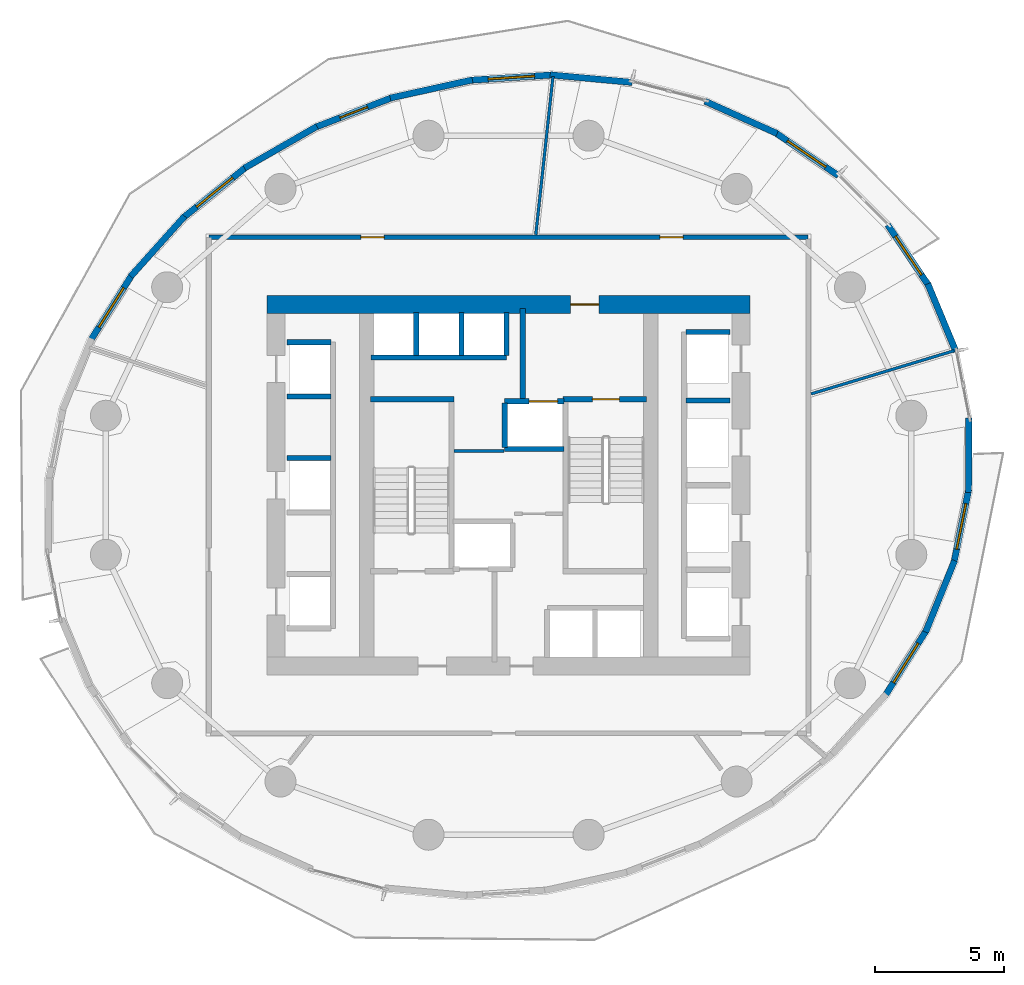
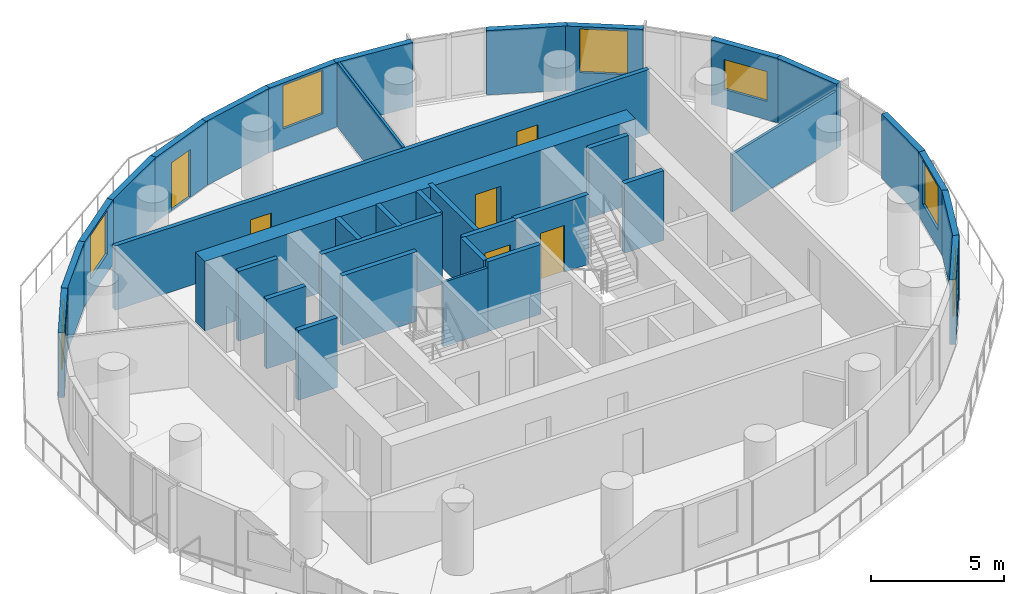
# One storey, part 5 of 10: 36 walls, 7 windows, 6 doors, 13 openings.
"""IFC4 building model written with IfcOpenShell, lengths in metres."""

import ifcopenshell
import ifcopenshell.guid

model = None  # the IFC model being written
_history = None  # IfcOwnerHistory: only IFC2X3 demands one
_inside = {}  # id of a spatial element -> (the spatial element, [elements in it])
_under = {}  # id of a project, library or spatial element -> (it, [spatial elements below it])
_declared = {}  # id of a project -> (the project, [libraries it declares])
_typed = {}  # id of a type object -> (the type object, [elements of that type])
_made_of = {}  # id of a material, layer set ... -> (it, [elements and type objects made of it])


def new_model(schema):
    """Start an empty IFC model of exactly this schema.

    Asked for "IFC4X3", IfcOpenShell would pick the latest addendum, in which some entities
    have other attributes; the version numbers below select the first issue.
    IFC2X3 requires an IfcOwnerHistory on every rooted entity: one is made here for all.
    """
    global model, _history
    if schema == "IFC4X3":
        model = ifcopenshell.file(schema_version=(4, 3, 0, 0))
    else:
        model = ifcopenshell.file(schema=schema)
    _inside.clear()
    _under.clear()
    _declared.clear()
    _typed.clear()
    _made_of.clear()
    _history = None
    if model.schema == "IFC2X3":
        org = make("IfcOrganization", Name="unknown")
        user = make(
            "IfcPersonAndOrganization",
            ThePerson=make("IfcPerson", FamilyName="unknown"),
            TheOrganization=org,
        )
        app = make(
            "IfcApplication",
            ApplicationDeveloper=org,
            Version="unknown",
            ApplicationFullName="unknown",
            ApplicationIdentifier="unknown",
        )
        _history = make(
            "IfcOwnerHistory",
            OwningUser=user,
            OwningApplication=app,
            ChangeAction="ADDED",
            CreationDate=0,
        )
    return model


def make(cls, **values):
    """One entity of the class cls with the attributes given. An attribute that is None is left unset."""
    return model.create_entity(
        cls, **{name: value for name, value in values.items() if value is not None}
    )


def rooted(cls, **values):
    """An entity with a GlobalId (a new one), such as an element, a storey or a relation."""
    return make(cls, GlobalId=ifcopenshell.guid.new(), OwnerHistory=_history, **values)


def si_unit(unit_type, name, prefix=None):
    """IfcSIUnit, for example si_unit("LENGTHUNIT", "METRE", prefix="MILLI")."""
    return make("IfcSIUnit", UnitType=unit_type, Prefix=prefix, Name=name)


def assignment(units):
    """IfcUnitAssignment: the units of a project."""
    return None if units is None else make("IfcUnitAssignment", Units=units)


def point(xyz):
    """IfcCartesianPoint."""
    return None if xyz is None else make("IfcCartesianPoint", Coordinates=xyz)


def direction(xyz):
    """IfcDirection."""
    return None if xyz is None else make("IfcDirection", DirectionRatios=xyz)


def frame(location, z_axis=None, x_axis=None):
    """IfcAxis2Placement3D, a coordinate frame: its origin and axes. An axis left out is left unset."""
    return make(
        "IfcAxis2Placement3D",
        Location=point(location),
        Axis=direction(z_axis),
        RefDirection=direction(x_axis),
    )


def frame_2d(location, x_axis=None):
    """IfcAxis2Placement2D, a coordinate frame in the plane: its origin and x axis."""
    return make(
        "IfcAxis2Placement2D", Location=point(location), RefDirection=direction(x_axis)
    )


def origin():
    """The frame at (0, 0, 0) with its axes left unset."""
    return frame((0.0, 0.0, 0.0))


def place(relative_to, where):
    """IfcLocalPlacement: puts the frame where relative to a parent placement (None: the world)."""
    return make(
        "IfcLocalPlacement", PlacementRelTo=relative_to, RelativePlacement=where
    )


def context(
    kind, dimensions, precision=None, world=None, true_north=None, identifier=None
):
    """IfcGeometricRepresentationContext, for example the 3D "Model" context."""
    return make(
        "IfcGeometricRepresentationContext",
        ContextIdentifier=identifier,
        ContextType=kind,
        CoordinateSpaceDimension=dimensions,
        Precision=precision,
        WorldCoordinateSystem=world,
        TrueNorth=true_north,
    )


def subcontext(parent, identifier, kind, view, scale=None):
    """IfcGeometricRepresentationSubContext, for example "Body" below "Model"."""
    return make(
        "IfcGeometricRepresentationSubContext",
        ContextIdentifier=identifier,
        ContextType=kind,
        ParentContext=parent,
        TargetScale=scale,
        TargetView=view,
    )


def project(units=None, contexts=None):
    """IfcProject with its units and contexts."""
    return rooted(
        "IfcProject",
        Name="project",
        RepresentationContexts=contexts,
        UnitsInContext=assignment(units),
    )


def spatial(cls, under=None, at=None, **own):
    """A site, building, storey or space (cls), placed at a placement, below another one or the project."""
    s = rooted(cls, ObjectPlacement=at, **own)
    if under is not None:
        _under.setdefault(under.id(), (under, []))[1].append(s)
    return s


def profile(cls, at=None, kind="AREA", **sizes):
    """A parametric profile (cls). Its sizes go by their IFC names, for example OverallWidth=200.0."""
    return make(cls, ProfileType=kind, Position=at, **sizes)


def rectangle(**sizes):
    """IfcRectangleProfileDef."""
    return profile("IfcRectangleProfileDef", **sizes)


def extrude(swept, where, along, depth):
    """IfcExtrudedAreaSolid: the profile swept, set in the frame where, extruded along a direction by depth."""
    return make(
        "IfcExtrudedAreaSolid",
        SweptArea=swept,
        Position=where,
        ExtrudedDirection=direction(along),
        Depth=depth,
    )


def shape(context_of_items, identifier, shape_type, items):
    """IfcShapeRepresentation: the items that make up one representation, for example the "Body"."""
    return make(
        "IfcShapeRepresentation",
        ContextOfItems=context_of_items,
        RepresentationIdentifier=identifier,
        RepresentationType=shape_type,
        Items=items,
    )


def material(Name=None, Category=None):
    """IfcMaterial."""
    return make("IfcMaterial", Name=Name, Category=Category)


def layer(
    of_material, thickness, ventilated=None, Name=None, Category=None, Priority=None
):
    """IfcMaterialLayer: one layer of a wall or slab, of a material (None: an air gap)."""
    return make(
        "IfcMaterialLayer",
        Material=of_material,
        LayerThickness=thickness,
        IsVentilated=ventilated,
        Name=Name,
        Category=Category,
        Priority=Priority,
    )


def layer_set(layers, Name=None):
    """IfcMaterialLayerSet."""
    return make("IfcMaterialLayerSet", MaterialLayers=layers, LayerSetName=Name)


def made_of(thing, what):
    """Note that an element or type object is made of a material, layer set ...; save() writes the relation."""
    if what is not None:
        _made_of.setdefault(what.id(), (what, []))[1].append(thing)
    return thing


def type_object(cls, material=None, **own):
    """A type object (cls), such as IfcWallType, which elements share."""
    return made_of(rooted(cls, **own), material)


def element(
    cls,
    number,
    at=None,
    inside=None,
    cuts=None,
    type_object=None,
    material=None,
    context=None,
    identifier="Body",
    shape_type=None,
    held_by="IfcProductDefinitionShape",
    body=None,
    shapes=None,
    **own,
):
    """One element of the class cls, such as IfcWall. Its Tag is "e" and its number.

    at: its placement. inside: the storey or other place that contains it. cuts: it is an
    opening in that element (IfcRelVoidsElement). A single representation is given by context,
    identifier, shape_type and body (its items); several are given by shapes. held_by: the class
    of the entity that holds the representations. save() writes the other relations.
    """
    e = rooted(cls, Tag="e%d" % number, ObjectPlacement=at, **own)
    if body is not None:
        shapes = [shape(context, identifier, shape_type, body)]
    if shapes is not None:
        e.Representation = make(held_by, Representations=shapes)
    if inside is not None:
        _inside.setdefault(inside.id(), (inside, []))[1].append(e)
    if cuts is not None:
        rooted(
            "IfcRelVoidsElement", RelatingBuildingElement=cuts, RelatedOpeningElement=e
        )
    if type_object is not None:
        _typed.setdefault(type_object.id(), (type_object, []))[1].append(e)
    return made_of(e, material)


def fill(opening, filler):
    """IfcRelFillsElement: the door or window that sits in an opening."""
    return rooted(
        "IfcRelFillsElement",
        RelatingOpeningElement=opening,
        RelatedBuildingElement=filler,
    )


def aggregate(whole, parts):
    """IfcRelAggregates: a whole, such as a stair, and the parts it consists of."""
    return rooted("IfcRelAggregates", RelatingObject=whole, RelatedObjects=parts)


def save(model, path):
    """Write the relations noted so far, then the file.

    IfcRelAggregates (storeys below a building ...), IfcRelContainedInSpatialStructure (elements
    in a storey), IfcRelDefinesByType, IfcRelAssociatesMaterial and IfcRelDeclares: one each for
    every whole, place, type object, material and project.
    """
    for whole, parts in _under.values():
        aggregate(whole, parts)
    for where, things in _inside.values():
        rooted(
            "IfcRelContainedInSpatialStructure",
            RelatedElements=things,
            RelatingStructure=where,
        )
    for kind, things in _typed.values():
        rooted("IfcRelDefinesByType", RelatedObjects=things, RelatingType=kind)
    for what, things in _made_of.values():
        rooted("IfcRelAssociatesMaterial", RelatedObjects=things, RelatingMaterial=what)
    for by, libraries in _declared.values():
        rooted("IfcRelDeclares", RelatingContext=by, RelatedDefinitions=libraries)
    model.write(path)


model = new_model("IFC4")

# Units and contexts
model_context = context("Model", 3, precision=1e-05, world=origin(), true_north=direction((0.0, 1.0)))
body_context = subcontext(model_context, "Body", "Model", "MODEL_VIEW")
ifc_project = project(units=[si_unit("LENGTHUNIT", "METRE"), si_unit("AREAUNIT", "SQUARE_METRE"), si_unit("VOLUMEUNIT", "CUBIC_METRE"), si_unit("PLANEANGLEUNIT", "RADIAN"), si_unit("MASSUNIT", "GRAM", prefix="KILO")], contexts=[model_context])

# Site, building, storey
site_placement = place(None, origin())
site = spatial("IfcSite", under=ifc_project, at=site_placement, CompositionType="ELEMENT")
building_placement = place(site_placement, origin())
building = spatial("IfcBuilding", under=site, at=building_placement, Name="Veldorim Arch Residences", CompositionType="ELEMENT")
storey_placement = place(building_placement, frame((0.0, 0.0, 70.8798828125)))
storey = spatial("IfcBuildingStorey", under=building, at=storey_placement, Name="L20", CompositionType="ELEMENT", Elevation=70.8798828125)

# Wall, openings, doors
ifc_material_1 = material(Name="Lightweight Masonry Block & Gypsum", Category="masonry")
ifc_layer_1 = layer(ifc_material_1, 0.179931640625, Name="Compartment & Corridor Fire-Rated Party Wall 180")
ifc_layer_set_1 = layer_set([ifc_layer_1], Name="Lightweight Masonry Block & Gypsum")
wall_type_1 = type_object("IfcWallType", Name="Compartment & Corridor Fire-Rated Party Wall 180", PredefinedType="PARTITIONING", material=ifc_layer_set_1)
wall_1_placement = place(storey_placement, frame((20.39990234375, 33.60009765625, 0.0), z_axis=(0.0, 0.0, 1.0), x_axis=(1.0, 0.0, 0.0)))
wall_1 = element("IfcWall", 1, at=wall_1_placement, inside=storey, type_object=wall_type_1, Name="L20 interior wall WL-SKY-L20-001", PredefinedType="PARTITIONING", context=body_context, shape_type="SweptSolid", body=[
    extrude(rectangle(XDim=23.2001953125, YDim=0.179931640625, at=frame_2d((11.60009765625, 0.0))), origin(), (0.0, 0.0, 1.0), 2.955078125),
])
opening_1_placement = place(wall_1_placement, frame((17.46142578125, 0.0, 0.0)))
opening_1 = element("IfcOpeningElement", 2, at=opening_1_placement, cuts=wall_1, Name="Opening DR-INT", PredefinedType="OPENING", context=body_context, shape_type="SweptSolid", body=[
    extrude(rectangle(XDim=0.89990234375, YDim=2.10009765625, at=frame_2d((0.449951171875, 1.050048828125))), frame((0.0, 0.099853515625, 0.0), z_axis=(0.0, -1.0, 0.0), x_axis=(1.0, 0.0, 0.0)), (0.0, 0.0, 1.0), 0.199951171875),
])
opening_2_placement = place(wall_1_placement, frame((5.881591796875, 0.0, 0.0)))
opening_2 = element("IfcOpeningElement", 3, at=opening_2_placement, cuts=wall_1, Name="Opening DR-INT", PredefinedType="OPENING", context=body_context, shape_type="SweptSolid", body=[
    extrude(rectangle(XDim=0.89990234375, YDim=2.10009765625, at=frame_2d((0.449951171875, 1.050048828125))), frame((0.0, 0.099853515625, 0.0), z_axis=(0.0, -1.0, 0.0), x_axis=(1.0, 0.0, 0.0)), (0.0, 0.0, 1.0), 0.199951171875),
])
ifc_material_2 = material(Name="Engineered Timber", Category="wood")
door_type_1 = type_object("IfcDoorType", Name="Apartment Internal Room Timber Door 900x2100", OperationType="SINGLE_SWING_LEFT", PredefinedType="DOOR", material=ifc_material_2)
door_1_placement = place(opening_1_placement, origin())
door_1 = element("IfcDoor", 4, at=door_1_placement, inside=storey, type_object=door_type_1, Name="L20 interior door DR-SKY-L20-001", OperationType="SINGLE_SWING_LEFT", OverallHeight=2.10009765625, OverallWidth=0.89990234375, PredefinedType="DOOR", context=body_context, shape_type="SweptSolid", body=[
    extrude(rectangle(XDim=0.89990234375, YDim=2.10009765625, at=frame_2d((0.449951171875, 1.050048828125))), frame((0.0, 0.02490234375, 0.0), z_axis=(0.0, -1.0, 0.0), x_axis=(1.0, 0.0, 0.0)), (0.0, 0.0, 1.0), 0.050048828125),
])
fill(opening_1, door_1)
door_2_placement = place(opening_2_placement, origin())
door_2 = element("IfcDoor", 5, at=door_2_placement, inside=storey, type_object=door_type_1, Name="L20 interior door DR-SKY-L20-002", OperationType="SINGLE_SWING_RIGHT", OverallHeight=2.10009765625, OverallWidth=0.89990234375, PredefinedType="DOOR", context=body_context, shape_type="SweptSolid", body=[
    extrude(rectangle(XDim=0.89990234375, YDim=2.10009765625, at=frame_2d((0.449951171875, 1.050048828125))), frame((0.0, 0.02490234375, 0.0), z_axis=(0.0, -1.0, 0.0), x_axis=(1.0, 0.0, 0.0)), (0.0, 0.0, 1.0), 0.050048828125),
])
fill(opening_2, door_2)

# Wall
ifc_material_3 = material(Name="Concrete C50/60", Category="concrete")
ifc_layer_2 = layer(ifc_material_3, 0.199951171875, Name="Core Stair & Lift Shaft Enclosure Wall 200")
ifc_layer_set_2 = layer_set([ifc_layer_2], Name="Concrete C50/60")
wall_type_2 = type_object("IfcWallType", Name="Core Stair & Lift Shaft Enclosure Wall 200", PredefinedType="SHEAR", material=ifc_layer_set_2)
wall_2_placement = place(storey_placement, frame((26.64990234375, 27.330078125, 0.0), z_axis=(0.0, 0.0, 1.0), x_axis=(1.0, 0.0, 0.0)))
element("IfcWall", 6, at=wall_2_placement, inside=storey, type_object=wall_type_2, Name="L20 shaft wall WL-SHF-L20-ST1-N", PredefinedType="SHEAR", context=body_context, shape_type="SweptSolid", body=[
    extrude(rectangle(XDim=3.239990234375, YDim=0.199951171875, at=frame_2d((1.6201171875, 0.0))), origin(), (0.0, 0.0, 1.0), 3.2001953125),
])

# Wall, opening, door
wall_3_placement = place(storey_placement, frame((34.110107421875, 27.330078125, 0.0), z_axis=(0.0, 0.0, 1.0), x_axis=(1.0, 0.0, 0.0)))
wall_3 = element("IfcWall", 7, at=wall_3_placement, inside=storey, type_object=wall_type_2, Name="L20 shaft wall WL-SHF-L20-ST2-N", PredefinedType="SHEAR", context=body_context, shape_type="SweptSolid", body=[
    extrude(rectangle(XDim=3.239990234375, YDim=0.199951171875, at=frame_2d((1.6201171875, 0.0))), origin(), (0.0, 0.0, 1.0), 3.2001953125),
])
opening_3_placement = place(wall_3_placement, frame((1.135009765625, 0.0, 0.0)))
opening_3 = element("IfcOpeningElement", 8, at=opening_3_placement, cuts=wall_3, Name="Opening DR-ST", PredefinedType="OPENING", context=body_context, shape_type="SweptSolid", body=[
    extrude(rectangle(XDim=1.050048828125, YDim=2.14990234375, at=frame_2d((0.52490234375, 1.074951171875))), frame((0.0, 0.10986328125, 0.0), z_axis=(0.0, -1.0, 0.0), x_axis=(1.0, 0.0, 0.0)), (0.0, 0.0, 1.0), 0.219970703125),
])
ifc_material_4 = material(Name="Fire-Rated Steel", Category="steel")
door_type_2 = type_object("IfcDoorType", Name="Exit Staircase Self-Closing Fire Door 1050x2150", OperationType="SINGLE_SWING_LEFT", PredefinedType="DOOR", material=ifc_material_4)
door_3_placement = place(opening_3_placement, origin())
door_3 = element("IfcDoor", 9, at=door_3_placement, inside=storey, type_object=door_type_2, Name="L20 interior door DR-L20-ST2", OperationType="SINGLE_SWING_RIGHT", OverallHeight=2.14990234375, OverallWidth=1.050048828125, PredefinedType="DOOR", context=body_context, shape_type="SweptSolid", body=[
    extrude(rectangle(XDim=1.050048828125, YDim=2.14990234375, at=frame_2d((0.52490234375, 1.074951171875))), frame((0.0, 0.02490234375, 0.0), z_axis=(0.0, -1.0, 0.0), x_axis=(1.0, 0.0, 0.0)), (0.0, 0.0, 1.0), 0.050048828125),
])
fill(opening_3, door_3)

# Wall
wall_4_placement = place(storey_placement, frame((32.550048828125, 27.35009765625, 0.0), z_axis=(0.0, 0.0, 1.0), x_axis=(0.0, 1.0, 0.0)))
element("IfcWall", 10, at=wall_4_placement, inside=storey, type_object=wall_type_2, Name="L20 shaft wall WL-FFL2-L20-W", PredefinedType="SHEAR", context=body_context, shape_type="SweptSolid", body=[
    extrude(rectangle(XDim=3.5, YDim=0.199951171875, at=frame_2d((1.75, 0.0))), origin(), (0.0, 0.0, 1.0), 3.2001953125),
])

# Wall, opening, door
wall_5_placement = place(storey_placement, frame((31.85009765625, 27.25, 0.0), z_axis=(0.0, 0.0, 1.0), x_axis=(1.0, 0.0, 0.0)))
wall_5 = element("IfcWall", 11, at=wall_5_placement, inside=storey, type_object=wall_type_2, Name="L20 shaft wall WL-FL02-L20-N", PredefinedType="SHEAR", context=body_context, shape_type="SweptSolid", body=[
    extrude(rectangle(XDim=2.2998046875, YDim=0.199951171875, at=frame_2d((1.14990234375, 0.0))), origin(), (0.0, 0.0, 1.0), 3.2001953125),
])
opening_4_placement = place(wall_5_placement, frame((0.949951171875, 0.0, 0.0)))
opening_4 = element("IfcOpeningElement", 12, at=opening_4_placement, cuts=wall_5, Name="Opening LD-FF", PredefinedType="OPENING", context=body_context, shape_type="SweptSolid", body=[
    extrude(rectangle(XDim=1.10009765625, YDim=2.14990234375, at=frame_2d((0.550048828125, 1.074951171875))), frame((0.0, 0.10986328125, 0.0), z_axis=(0.0, -1.0, 0.0), x_axis=(1.0, 0.0, 0.0)), (0.0, 0.0, 1.0), 0.219970703125),
])
ifc_material_5 = material(Name="Stainless Steel", Category="steel")
door_type_3 = type_object("IfcDoorType", Name="Firefighting Lift Bi-Parting Sliding Landing Door 1100x2150", OperationType="DOUBLE_DOOR_SLIDING", PredefinedType="DOOR", material=ifc_material_5)
door_4_placement = place(opening_4_placement, origin())
door_4 = element("IfcDoor", 13, at=door_4_placement, inside=storey, type_object=door_type_3, Name="L20 lift landing door LD-L20-FL02", OperationType="DOUBLE_DOOR_SLIDING", OverallHeight=2.14990234375, OverallWidth=1.10009765625, PredefinedType="DOOR", context=body_context, shape_type="SweptSolid", body=[
    extrude(rectangle(XDim=1.10009765625, YDim=2.14990234375, at=frame_2d((0.550048828125, 1.074951171875))), frame((0.0, 0.02490234375, 0.0), z_axis=(0.0, -1.0, 0.0), x_axis=(1.0, 0.0, 0.0)), (0.0, 0.0, 1.0), 0.050048828125),
])
fill(opening_4, door_4)

# Walls
wall_6_placement = place(storey_placement, frame((31.85009765625, 25.39990234375, 0.0), z_axis=(0.0, 0.0, 1.0), x_axis=(1.0, 0.0, 0.0)))
element("IfcWall", 14, at=wall_6_placement, inside=storey, type_object=wall_type_2, Name="L20 shaft wall WL-FL02-L20-S", PredefinedType="SHEAR", context=body_context, shape_type="SweptSolid", body=[
    extrude(rectangle(XDim=2.2998046875, YDim=0.199951171875, at=frame_2d((1.14990234375, 0.0))), origin(), (0.0, 0.0, 1.0), 3.2001953125),
])
for number, where, z_axis, x_axis, name in (
    (15, (31.85009765625, 25.469970703125, 0.0), (0.0, 0.0, 1.0), (0.0, 1.0, 0.0), "L20 shaft wall WL-FL02-L20-W"),
    (16, (38.8701171875, 29.93994140625, 0.0), (0.0, 0.0, 1.0), (1.0, 0.0, 0.0), "L20 shaft wall WL-B1-L20-N"),
    (17, (38.8701171875, 27.27490234375, 0.0), (0.0, 0.0, 1.0), (1.0, 0.0, 0.0), "L20 shaft wall WL-B1-L20-D3"),
    (18, (23.419921875, 29.5400390625, 0.0), (0.0, 0.0, 1.0), (1.0, 0.0, 0.0), "L20 shaft wall WL-B2-L20-N"),
    (19, (23.419921875, 25.06005859375, 0.0), (0.0, 0.0, 1.0), (1.0, 0.0, 0.0), "L20 shaft wall WL-B2-L20-D2A"),
    (20, (23.419921875, 27.43994140625, 0.0), (0.0, 0.0, 1.0), (1.0, 0.0, 0.0), "L20 shaft wall WL-B2-L20-D2B"),
):
    element("IfcWall", number, at=place(storey_placement, frame(where, z_axis=z_axis, x_axis=x_axis)), inside=storey, type_object=wall_type_2, Name=name, PredefinedType="SHEAR", context=body_context, shape_type="SweptSolid", body=[
        extrude(rectangle(XDim=1.7099609375, YDim=0.199951171875, at=frame_2d((0.85498046875, 0.0))), origin(), (0.0, 0.0, 1.0), 3.2001953125),
    ])
wall_7_placement = place(storey_placement, frame((26.679931640625, 28.949951171875, 0.0), z_axis=(0.0, 0.0, 1.0), x_axis=(1.0, 0.0, 0.0)))
element("IfcWall", 21, at=wall_7_placement, inside=storey, type_object=wall_type_2, Name="L20 shaft wall WL-B3-L20-S", PredefinedType="SHEAR", context=body_context, shape_type="SweptSolid", body=[
    extrude(rectangle(XDim=5.239990234375, YDim=0.199951171875, at=frame_2d((2.6201171875, 0.0))), origin(), (0.0, 0.0, 1.0), 3.2001953125),
])
for number, where, z_axis, x_axis, name in (
    (22, (31.919921875, 29.02001953125, 0.0), (0.0, 0.0, 1.0), (0.0, 1.0, 0.0), "L20 shaft wall WL-B3-L20-E"),
    (23, (28.425048828125, 29.02001953125, 0.0), (0.0, 0.0, 1.0), (0.0, 1.0, 0.0), "L20 shaft wall WL-B3-L20-D1"),
    (24, (30.175048828125, 29.02001953125, 0.0), (0.0, 0.0, 1.0), (0.0, 1.0, 0.0), "L20 shaft wall WL-B3-L20-D2"),
):
    element("IfcWall", number, at=place(storey_placement, frame(where, z_axis=z_axis, x_axis=x_axis)), inside=storey, type_object=wall_type_2, Name=name, PredefinedType="SHEAR", context=body_context, shape_type="SweptSolid", body=[
        extrude(rectangle(XDim=1.659912109375, YDim=0.199951171875, at=frame_2d((0.830078125, 0.0))), origin(), (0.0, 0.0, 1.0), 3.2001953125),
    ])

# Wall, opening, door
ifc_material_6 = material(Name="Concrete C60/75", Category="concrete")
ifc_layer_3 = layer(ifc_material_6, 0.699951171875, Name="Mid-Lower Central Core Shear Wall 700")
ifc_layer_set_3 = layer_set([ifc_layer_3], Name="Concrete C60/75")
wall_type_3 = type_object("IfcWallType", Name="Mid-Lower Central Core Shear Wall 700", PredefinedType="SHEAR", material=ifc_layer_set_3)
wall_8_placement = place(storey_placement, frame((22.64990234375, 31.0, 0.0), z_axis=(0.0, 0.0, 1.0), x_axis=(1.0, 0.0, 0.0)))
wall_8 = element("IfcWall", 25, at=wall_8_placement, inside=storey, type_object=wall_type_3, Name="L20 central core north shear wall", PredefinedType="SHEAR", context=body_context, shape_type="SweptSolid", body=[
    extrude(rectangle(XDim=18.7001953125, YDim=0.699951171875, at=frame_2d((9.35009765625, 0.0))), origin(), (0.0, 0.0, 1.0), 3.2001953125),
])
opening_5_placement = place(wall_8_placement, frame((11.75, 0.0, 0.0)))
opening_5 = element("IfcOpeningElement", 26, at=opening_5_placement, cuts=wall_8, Name="Opening DR-FFL", PredefinedType="OPENING", context=body_context, shape_type="SweptSolid", body=[
    extrude(rectangle(XDim=1.10009765625, YDim=2.14990234375, at=frame_2d((0.550048828125, 1.074951171875))), frame((0.0, 0.35986328125, 0.0), z_axis=(0.0, -1.0, 0.0), x_axis=(1.0, 0.0, 0.0)), (0.0, 0.0, 1.0), 0.719970703125),
])
ifc_material_7 = material(Name="Fire-Rated Steel & Vision Glass", Category="steel")
door_type_4 = type_object("IfcDoorType", Name="Firefighting Lobby Smoke-Stop Fire Door 1100x2150", OperationType="SINGLE_SWING_LEFT", PredefinedType="DOOR", material=ifc_material_7)
door_5_placement = place(opening_5_placement, origin())
door_5 = element("IfcDoor", 27, at=door_5_placement, inside=storey, type_object=door_type_4, Name="L20 interior door DR-L20-FFL2", OperationType="SINGLE_SWING_LEFT", OverallHeight=2.14990234375, OverallWidth=1.10009765625, PredefinedType="DOOR", context=body_context, shape_type="SweptSolid", body=[
    extrude(rectangle(XDim=1.10009765625, YDim=2.14990234375, at=frame_2d((0.550048828125, 1.074951171875))), frame((0.0, 0.02490234375, 0.0), z_axis=(0.0, -1.0, 0.0), x_axis=(1.0, 0.0, 0.0)), (0.0, 0.0, 1.0), 0.050048828125),
])
fill(opening_5, door_5)

# Walls
ifc_material_8 = material(Name="Anodised Aluminium & Acoustic Panel", Category="aluminium")
ifc_layer_4 = layer(ifc_material_8, 0.110107421875, Name="Operable Acoustic Clinic & Community Folding Partition 110")
ifc_layer_set_4 = layer_set([ifc_layer_4], Name="Anodised Aluminium & Acoustic Panel")
wall_type_4 = type_object("IfcWallType", Name="Operable Acoustic Clinic & Community Folding Partition 110", PredefinedType="MOVABLE", material=ifc_layer_set_4)
wall_9_placement = place(storey_placement, frame((29.889892578125, 25.330078125, 0.0), z_axis=(0.0, 0.0, 1.0), x_axis=(1.0, 0.0, 0.0)))
element("IfcWall", 28, at=wall_9_placement, inside=storey, type_object=wall_type_4, Name="L20 interior wall WL-CA-L20-N", PredefinedType="MOVABLE", context=body_context, shape_type="SweptSolid", body=[
    extrude(rectangle(XDim=1.940185546875, YDim=0.110107421875, at=frame_2d((0.97021484375, 0.0))), origin(), (0.0, 0.0, 1.0), 2.955078125),
])
wall_10_placement = place(storey_placement, frame((33.0537109375, 33.699462890625, 0.0), z_axis=(0.0, 0.0, 1.0), x_axis=(0.108014076948, 0.994149364623, 0.0)))
element("IfcWall", 29, at=wall_10_placement, inside=storey, type_object=wall_type_4, Name="L20 interior wall WL-SKY-L20-006", PredefinedType="MOVABLE", context=body_context, shape_type="SweptSolid", body=[
    extrude(rectangle(XDim=6.163818359375, YDim=0.110107421875, at=frame_2d((3.08203125, 0.0))), origin(), (0.0, 0.0, 1.0), 2.955078125),
])
wall_11_placement = place(storey_placement, frame((49.25, 29.2080078125, 0.0), z_axis=(0.0, 0.0, 1.0), x_axis=(-0.957320436523, -0.289028686838, 0.0)))
element("IfcWall", 30, at=wall_11_placement, inside=storey, type_object=wall_type_4, Name="L20 interior wall WL-SKY-L20-007", PredefinedType="MOVABLE", context=body_context, shape_type="SweptSolid", body=[
    extrude(rectangle(XDim=5.781982421875, YDim=0.110107421875, at=frame_2d((2.89111328125, 0.0))), origin(), (0.0, 0.0, 1.0), 2.6416015625),
])
ifc_material_9 = material(Name="Precast concrete C40/50", Category="concrete")
ifc_layer_5 = layer(ifc_material_9, 0.25, Name="Tower Terracotta Spandrel & Pier Wall 250")
ifc_layer_set_5 = layer_set([ifc_layer_5], Name="Precast concrete C40/50")
wall_type_5 = type_object("IfcWallType", Name="Tower Terracotta Spandrel & Pier Wall 250", PredefinedType="SOLIDWALL", material=ifc_layer_set_5)
wall_12_placement = place(storey_placement, frame((48.23291015625, 31.800537109375, 0.0), z_axis=(0.0, 0.0, 1.0), x_axis=(0.383525326811, -0.923530358838, 0.0)))
element("IfcWall", 31, at=wall_12_placement, inside=storey, type_object=wall_type_5, Name="L20 terracotta facade wall 01", PredefinedType="SOLIDWALL", context=body_context, shape_type="SweptSolid", body=[
    extrude(rectangle(XDim=2.847412109375, YDim=0.25, at=frame_2d((1.423828125, 0.0))), origin(), (0.0, 0.0, 1.0), 2.960205078125),
])

# Wall, opening, window
wall_13_placement = place(storey_placement, frame((46.681884765625, 34.083984375, 0.0), z_axis=(0.0, 0.0, 1.0), x_axis=(0.558458439807, -0.829532501478, 0.0)))
wall_13 = element("IfcWall", 32, at=wall_13_placement, inside=storey, type_object=wall_type_5, Name="L20 terracotta facade wall 02", PredefinedType="SOLIDWALL", context=body_context, shape_type="SweptSolid", body=[
    extrude(rectangle(XDim=2.8740234375, YDim=0.25, at=frame_2d((1.43701171875, 0.0))), origin(), (0.0, 0.0, 1.0), 2.960205078125),
])
opening_6_placement = place(wall_13_placement, frame((0.537109375, 0.0, 0.85009765625)))
opening_6 = element("IfcOpeningElement", 33, at=opening_6_placement, cuts=wall_13, Name="Opening WN-04", PredefinedType="OPENING", context=body_context, shape_type="SweptSolid", body=[
    extrude(rectangle(XDim=1.800048828125, YDim=1.3701171875, at=frame_2d((0.89990234375, 0.68505859375))), frame((0.0, 0.135009765625, 0.0), z_axis=(0.0, -1.0, 0.0), x_axis=(1.0, 0.0, 0.0)), (0.0, 0.0, 1.0), 0.27001953125),
])
ifc_material_10 = material(Name="Laminated Low-E Glass", Category="glass")
window_type = type_object("IfcWindowType", Name="Sky Lounge Tall Picture Window 1800x1370", PartitioningType="SINGLE_PANEL", PredefinedType="WINDOW", material=ifc_material_10)
window_1_placement = place(opening_6_placement, origin())
window_1 = element("IfcWindow", 34, at=window_1_placement, inside=storey, type_object=window_type, Name="L20 solar-control facade window 02", OverallHeight=1.3701171875, OverallWidth=1.800048828125, PartitioningType="SINGLE_PANEL", PredefinedType="WINDOW", context=body_context, shape_type="SweptSolid", body=[
    extrude(rectangle(XDim=1.800048828125, YDim=1.3701171875, at=frame_2d((0.89990234375, 0.68505859375))), frame((0.0, 0.030029296875, 0.0), z_axis=(0.0, -1.0, 0.0), x_axis=(1.0, 0.0, 0.0)), (0.0, 0.0, 1.0), 0.06005859375),
])
fill(opening_6, window_1)

wall_14_placement = place(storey_placement, frame((42.303955078125, 37.67431640625, 0.0), z_axis=(0.0, 0.0, 1.0), x_axis=(0.825967987646, -0.56371702421, 0.0)))
wall_14 = element("IfcWall", 35, at=wall_14_placement, inside=storey, type_object=wall_type_5, Name="L20 terracotta facade wall 04", PredefinedType="SOLIDWALL", context=body_context, shape_type="SweptSolid", body=[
    extrude(rectangle(XDim=2.98828125, YDim=0.25, at=frame_2d((1.494140625, 0.0))), origin(), (0.0, 0.0, 1.0), 2.960205078125),
])
opening_7_placement = place(wall_14_placement, frame((0.593994140625, 0.0, 0.85009765625)))
opening_7 = element("IfcOpeningElement", 36, at=opening_7_placement, cuts=wall_14, Name="Opening WN-04", PredefinedType="OPENING", context=body_context, shape_type="SweptSolid", body=[
    extrude(rectangle(XDim=1.800048828125, YDim=2.0, at=frame_2d((0.89990234375, 1.0))), frame((0.0, 0.135009765625, 0.0), z_axis=(0.0, -1.0, 0.0), x_axis=(1.0, 0.0, 0.0)), (0.0, 0.0, 1.0), 0.27001953125),
])
window_2_placement = place(opening_7_placement, origin())
window_2 = element("IfcWindow", 37, at=window_2_placement, inside=storey, type_object=window_type, Name="L20 solar-control facade window 04", OverallHeight=2.0, OverallWidth=1.800048828125, PartitioningType="SINGLE_PANEL", PredefinedType="WINDOW", context=body_context, shape_type="SweptSolid", body=[
    extrude(rectangle(XDim=1.800048828125, YDim=2.0, at=frame_2d((0.89990234375, 1.0))), frame((0.0, 0.030029296875, 0.0), z_axis=(0.0, -1.0, 0.0), x_axis=(1.0, 0.0, 0.0)), (0.0, 0.0, 1.0), 0.06005859375),
])
fill(opening_7, window_2)

# Walls
wall_15_placement = place(storey_placement, frame((39.60888671875, 38.87255859375, 0.0), z_axis=(0.0, 0.0, 1.0), x_axis=(0.912401485772, -0.40929638254, 0.0)))
element("IfcWall", 38, at=wall_15_placement, inside=storey, type_object=wall_type_5, Name="L20 terracotta facade wall 05", PredefinedType="SOLIDWALL", context=body_context, shape_type="SweptSolid", body=[
    extrude(rectangle(XDim=3.060546875, YDim=0.25, at=frame_2d((1.5302734375, 0.0))), origin(), (0.0, 0.0, 1.0), 2.960205078125),
])
wall_16_placement = place(storey_placement, frame((33.611572265625, 39.89208984375, 0.0), z_axis=(0.0, 0.0, 1.0), x_axis=(0.9958277433, -0.091252976247, 0.0)))
element("IfcWall", 39, at=wall_16_placement, inside=storey, type_object=wall_type_5, Name="L20 terracotta facade wall 07", PredefinedType="SOLIDWALL", context=body_context, shape_type="SweptSolid", body=[
    extrude(rectangle(XDim=3.19189453125, YDim=0.25, at=frame_2d((1.595947265625, 0.0))), origin(), (0.0, 0.0, 1.0), 2.960205078125),
])

# Wall, opening, window
wall_17_placement = place(storey_placement, frame((30.491455078125, 39.681640625, 0.0), z_axis=(0.0, 0.0, 1.0), x_axis=(0.997907602465, 0.064656143896, 0.0)))
wall_17 = element("IfcWall", 40, at=wall_17_placement, inside=storey, type_object=wall_type_5, Name="L20 terracotta facade wall 08", PredefinedType="SOLIDWALL", context=body_context, shape_type="SweptSolid", body=[
    extrude(rectangle(XDim=3.236083984375, YDim=0.25, at=frame_2d((1.6181640625, 0.0))), origin(), (0.0, 0.0, 1.0), 2.960205078125),
])
opening_8_placement = place(wall_17_placement, frame((0.718017578125, 0.0, 0.85009765625)))
opening_8 = element("IfcOpeningElement", 41, at=opening_8_placement, cuts=wall_17, Name="Opening WN-04", PredefinedType="OPENING", context=body_context, shape_type="SweptSolid", body=[
    extrude(rectangle(XDim=1.800048828125, YDim=2.0, at=frame_2d((0.89990234375, 1.0))), frame((0.0, 0.135009765625, 0.0), z_axis=(0.0, -1.0, 0.0), x_axis=(1.0, 0.0, 0.0)), (0.0, 0.0, 1.0), 0.27001953125),
])
window_3_placement = place(opening_8_placement, origin())
window_3 = element("IfcWindow", 42, at=window_3_placement, inside=storey, type_object=window_type, Name="L20 solar-control facade window 08", OverallHeight=2.0, OverallWidth=1.800048828125, PartitioningType="SINGLE_PANEL", PredefinedType="WINDOW", context=body_context, shape_type="SweptSolid", body=[
    extrude(rectangle(XDim=1.800048828125, YDim=2.0, at=frame_2d((0.89990234375, 1.0))), frame((0.0, 0.030029296875, 0.0), z_axis=(0.0, -1.0, 0.0), x_axis=(1.0, 0.0, 0.0)), (0.0, 0.0, 1.0), 0.06005859375),
])
fill(opening_8, window_3)

# Wall
wall_18_placement = place(storey_placement, frame((27.416259765625, 38.993896484375, 0.0), z_axis=(0.0, 0.0, 1.0), x_axis=(0.976457694784, 0.215708994476, 0.0)))
element("IfcWall", 43, at=wall_18_placement, inside=storey, type_object=wall_type_5, Name="L20 terracotta facade wall 09", PredefinedType="SOLIDWALL", context=body_context, shape_type="SweptSolid", body=[
    extrude(rectangle(XDim=3.259521484375, YDim=0.25, at=frame_2d((1.6298828125, 0.0))), origin(), (0.0, 0.0, 1.0), 2.960205078125),
])

# Wall, opening, door
wall_19_placement = place(storey_placement, frame((24.480224609375, 37.849609375, 0.0), z_axis=(0.0, 0.0, 1.0), x_axis=(0.932707116004, 0.360634767812, 0.0)))
wall_19 = element("IfcWall", 44, at=wall_19_placement, inside=storey, type_object=wall_type_5, Name="L20 terracotta facade wall 10", PredefinedType="SOLIDWALL", context=body_context, shape_type="SweptSolid", body=[
    extrude(rectangle(XDim=3.259521484375, YDim=0.25, at=frame_2d((1.6298828125, 0.0))), origin(), (0.0, 0.0, 1.0), 2.960205078125),
])
opening_9_placement = place(wall_19_placement, frame((1.054931640625, 0.0, 0.0)))
opening_9 = element("IfcOpeningElement", 45, at=opening_9_placement, cuts=wall_19, Name="Opening BL-DR", PredefinedType="OPENING", context=body_context, shape_type="SweptSolid", body=[
    extrude(rectangle(XDim=1.14990234375, YDim=2.199951171875, at=frame_2d((0.574951171875, 1.10009765625))), frame((0.0, 0.135009765625, 0.0), z_axis=(0.0, -1.0, 0.0), x_axis=(1.0, 0.0, 0.0)), (0.0, 0.0, 1.0), 0.27001953125),
])
ifc_material_11 = material(Name="Aluminium & Low-E Glass", Category="aluminium")
door_type_5 = type_object("IfcDoorType", Name="Glazed Planted Balcony Door 1150x2200", OperationType="SINGLE_SWING_LEFT", PredefinedType="DOOR", material=ifc_material_11)
door_6_placement = place(opening_9_placement, origin())
door_6 = element("IfcDoor", 46, at=door_6_placement, inside=storey, type_object=door_type_5, Name="L20 glazed outdoor terrace door BALC-1", OperationType="SINGLE_SWING_RIGHT", OverallHeight=2.199951171875, OverallWidth=1.14990234375, PredefinedType="DOOR", context=body_context, shape_type="SweptSolid", body=[
    extrude(rectangle(XDim=1.14990234375, YDim=2.199951171875, at=frame_2d((0.574951171875, 1.10009765625))), frame((0.0, 0.02490234375, 0.0), z_axis=(0.0, -1.0, 0.0), x_axis=(1.0, 0.0, 0.0)), (0.0, 0.0, 1.0), 0.050048828125),
])
fill(opening_9, door_6)

# Wall
wall_20_placement = place(storey_placement, frame((21.77294921875, 36.283447265625, 0.0), z_axis=(0.0, 0.0, 1.0), x_axis=(0.866935640597, 0.498420098975, 0.0)))
element("IfcWall", 47, at=wall_20_placement, inside=storey, type_object=wall_type_5, Name="L20 terracotta facade wall 11", PredefinedType="SOLIDWALL", context=body_context, shape_type="SweptSolid", body=[
    extrude(rectangle(XDim=3.236328125, YDim=0.25, at=frame_2d((1.6181640625, 0.0))), origin(), (0.0, 0.0, 1.0), 2.960205078125),
])

# Wall, opening, window
wall_21_placement = place(storey_placement, frame((19.376708984375, 34.343505859375, 0.0), z_axis=(0.0, 0.0, 1.0), x_axis=(0.778932404301, 0.627107893054, 0.0)))
wall_21 = element("IfcWall", 48, at=wall_21_placement, inside=storey, type_object=wall_type_5, Name="L20 terracotta facade wall 12", PredefinedType="SOLIDWALL", context=body_context, shape_type="SweptSolid", body=[
    extrude(rectangle(XDim=3.19189453125, YDim=0.25, at=frame_2d((1.595947265625, 0.0))), origin(), (0.0, 0.0, 1.0), 2.960205078125),
])
opening_10_placement = place(wall_21_placement, frame((0.696044921875, 0.0, 0.85009765625)))
opening_10 = element("IfcOpeningElement", 49, at=opening_10_placement, cuts=wall_21, Name="Opening WN-04", PredefinedType="OPENING", context=body_context, shape_type="SweptSolid", body=[
    extrude(rectangle(XDim=1.800048828125, YDim=2.0, at=frame_2d((0.89990234375, 1.0))), frame((0.0, 0.135009765625, 0.0), z_axis=(0.0, -1.0, 0.0), x_axis=(1.0, 0.0, 0.0)), (0.0, 0.0, 1.0), 0.27001953125),
])
window_4_placement = place(opening_10_placement, origin())
window_4 = element("IfcWindow", 50, at=window_4_placement, inside=storey, type_object=window_type, Name="L20 solar-control facade window 12", OverallHeight=2.0, OverallWidth=1.800048828125, PartitioningType="SINGLE_PANEL", PredefinedType="WINDOW", context=body_context, shape_type="SweptSolid", body=[
    extrude(rectangle(XDim=1.800048828125, YDim=2.0, at=frame_2d((0.89990234375, 1.0))), frame((0.0, 0.030029296875, 0.0), z_axis=(0.0, -1.0, 0.0), x_axis=(1.0, 0.0, 0.0)), (0.0, 0.0, 1.0), 0.06005859375),
])
fill(opening_10, window_4)

# Wall
wall_22_placement = place(storey_placement, frame((17.365234375, 32.088623046875, 0.0), z_axis=(0.0, 0.0, 1.0), x_axis=(0.66790863438, 0.744243277511, 0.0)))
element("IfcWall", 51, at=wall_22_placement, inside=storey, type_object=wall_type_5, Name="L20 terracotta facade wall 13", PredefinedType="SOLIDWALL", context=body_context, shape_type="SweptSolid", body=[
    extrude(rectangle(XDim=3.131103515625, YDim=0.25, at=frame_2d((1.5654296875, 0.0))), origin(), (0.0, 0.0, 1.0), 2.960205078125),
])

# Wall, opening, window
wall_23_placement = place(storey_placement, frame((15.79931640625, 29.588134765625, 0.0), z_axis=(0.0, 0.0, 1.0), x_axis=(0.533407635949, 0.845858317871, 0.0)))
wall_23 = element("IfcWall", 52, at=wall_23_placement, inside=storey, type_object=wall_type_5, Name="L20 terracotta facade wall 14", PredefinedType="SOLIDWALL", context=body_context, shape_type="SweptSolid", body=[
    extrude(rectangle(XDim=3.060546875, YDim=0.25, at=frame_2d((1.5302734375, 0.0))), origin(), (0.0, 0.0, 1.0), 2.960205078125),
])
opening_11_placement = place(wall_23_placement, frame((0.6298828125, 0.0, 0.85009765625)))
opening_11 = element("IfcOpeningElement", 53, at=opening_11_placement, cuts=wall_23, Name="Opening WN-04", PredefinedType="OPENING", context=body_context, shape_type="SweptSolid", body=[
    extrude(rectangle(XDim=1.800048828125, YDim=2.0, at=frame_2d((0.89990234375, 1.0))), frame((0.0, 0.135009765625, 0.0), z_axis=(0.0, -1.0, 0.0), x_axis=(1.0, 0.0, 0.0)), (0.0, 0.0, 1.0), 0.27001953125),
])
window_5_placement = place(opening_11_placement, origin())
window_5 = element("IfcWindow", 54, at=window_5_placement, inside=storey, type_object=window_type, Name="L20 solar-control facade window 14", OverallHeight=2.0, OverallWidth=1.800048828125, PartitioningType="SINGLE_PANEL", PredefinedType="WINDOW", context=body_context, shape_type="SweptSolid", body=[
    extrude(rectangle(XDim=1.800048828125, YDim=2.0, at=frame_2d((0.89990234375, 1.0))), frame((0.0, 0.030029296875, 0.0), z_axis=(0.0, -1.0, 0.0), x_axis=(1.0, 0.0, 0.0)), (0.0, 0.0, 1.0), 0.06005859375),
])
fill(opening_11, window_5)

wall_24_placement = place(storey_placement, frame((48.20068359375, 18.411865234375, 0.0), z_axis=(0.0, 0.0, 1.0), x_axis=(-0.533407635949, -0.845858317871, 0.0)))
wall_24 = element("IfcWall", 55, at=wall_24_placement, inside=storey, type_object=wall_type_5, Name="L20 terracotta facade wall 32", PredefinedType="SOLIDWALL", context=body_context, shape_type="SweptSolid", body=[
    extrude(rectangle(XDim=3.060546875, YDim=0.25, at=frame_2d((1.5302734375, 0.0))), origin(), (0.0, 0.0, 1.0), 2.960205078125),
])
opening_12_placement = place(wall_24_placement, frame((0.6298828125, 0.0, 0.85009765625)))
opening_12 = element("IfcOpeningElement", 56, at=opening_12_placement, cuts=wall_24, Name="Opening WN-04", PredefinedType="OPENING", context=body_context, shape_type="SweptSolid", body=[
    extrude(rectangle(XDim=1.800048828125, YDim=2.0, at=frame_2d((0.89990234375, 1.0))), frame((0.0, 0.135009765625, 0.0), z_axis=(0.0, -1.0, 0.0), x_axis=(1.0, 0.0, 0.0)), (0.0, 0.0, 1.0), 0.27001953125),
])
window_6_placement = place(opening_12_placement, origin())
window_6 = element("IfcWindow", 57, at=window_6_placement, inside=storey, type_object=window_type, Name="L20 solar-control facade window 32", OverallHeight=2.0, OverallWidth=1.800048828125, PartitioningType="SINGLE_PANEL", PredefinedType="WINDOW", context=body_context, shape_type="SweptSolid", body=[
    extrude(rectangle(XDim=1.800048828125, YDim=2.0, at=frame_2d((0.89990234375, 1.0))), frame((0.0, 0.030029296875, 0.0), z_axis=(0.0, -1.0, 0.0), x_axis=(1.0, 0.0, 0.0)), (0.0, 0.0, 1.0), 0.06005859375),
])
fill(opening_12, window_6)

# Wall
wall_25_placement = place(storey_placement, frame((49.2734375, 21.08154296875, 0.0), z_axis=(0.0, 0.0, 1.0), x_axis=(-0.376048320415, -0.926600054345, 0.0)))
element("IfcWall", 58, at=wall_25_placement, inside=storey, type_object=wall_type_5, Name="L20 terracotta facade wall 33", PredefinedType="SOLIDWALL", context=body_context, shape_type="SweptSolid", body=[
    extrude(rectangle(XDim=2.98828125, YDim=0.25, at=frame_2d((1.494140625, 0.0))), origin(), (0.0, 0.0, 1.0), 2.960205078125),
])

# Wall, opening, window
wall_26_placement = place(storey_placement, frame((49.82080078125, 23.8388671875, 0.0), z_axis=(0.0, 0.0, 1.0), x_axis=(-0.198331811595, -0.980134935868, 0.0)))
wall_26 = element("IfcWall", 59, at=wall_26_placement, inside=storey, type_object=wall_type_5, Name="L20 terracotta facade wall 34", PredefinedType="SOLIDWALL", context=body_context, shape_type="SweptSolid", body=[
    extrude(rectangle(XDim=2.923583984375, YDim=0.25, at=frame_2d((1.4619140625, 0.0))), origin(), (0.0, 0.0, 1.0), 2.960205078125),
])
opening_13_placement = place(wall_26_placement, frame((0.56201171875, 0.0, 0.85009765625)))
opening_13 = element("IfcOpeningElement", 60, at=opening_13_placement, cuts=wall_26, Name="Opening WN-04", PredefinedType="OPENING", context=body_context, shape_type="SweptSolid", body=[
    extrude(rectangle(XDim=1.800048828125, YDim=2.0, at=frame_2d((0.89990234375, 1.0))), frame((0.0, 0.135009765625, 0.0), z_axis=(0.0, -1.0, 0.0), x_axis=(1.0, 0.0, 0.0)), (0.0, 0.0, 1.0), 0.27001953125),
])
window_7_placement = place(opening_13_placement, origin())
window_7 = element("IfcWindow", 61, at=window_7_placement, inside=storey, type_object=window_type, Name="L20 solar-control facade window 34", OverallHeight=2.0, OverallWidth=1.800048828125, PartitioningType="SINGLE_PANEL", PredefinedType="WINDOW", context=body_context, shape_type="SweptSolid", body=[
    extrude(rectangle(XDim=1.800048828125, YDim=2.0, at=frame_2d((0.89990234375, 1.0))), frame((0.0, 0.030029296875, 0.0), z_axis=(0.0, -1.0, 0.0), x_axis=(1.0, 0.0, 0.0)), (0.0, 0.0, 1.0), 0.06005859375),
])
fill(opening_13, window_7)

# Wall
wall_27_placement = place(storey_placement, frame((49.826904296875, 26.599609375, 0.0), z_axis=(0.0, 0.0, 1.0), x_axis=(-0.006201036057, -0.999980773391, 0.0)))
element("IfcWall", 62, at=wall_27_placement, inside=storey, type_object=wall_type_5, Name="L20 terracotta facade wall 35", PredefinedType="SOLIDWALL", context=body_context, shape_type="SweptSolid", body=[
    extrude(rectangle(XDim=2.8740234375, YDim=0.25, at=frame_2d((1.43701171875, 0.0))), origin(), (0.0, 0.0, 1.0), 2.960205078125),
])

save(model, "model.ifc")
